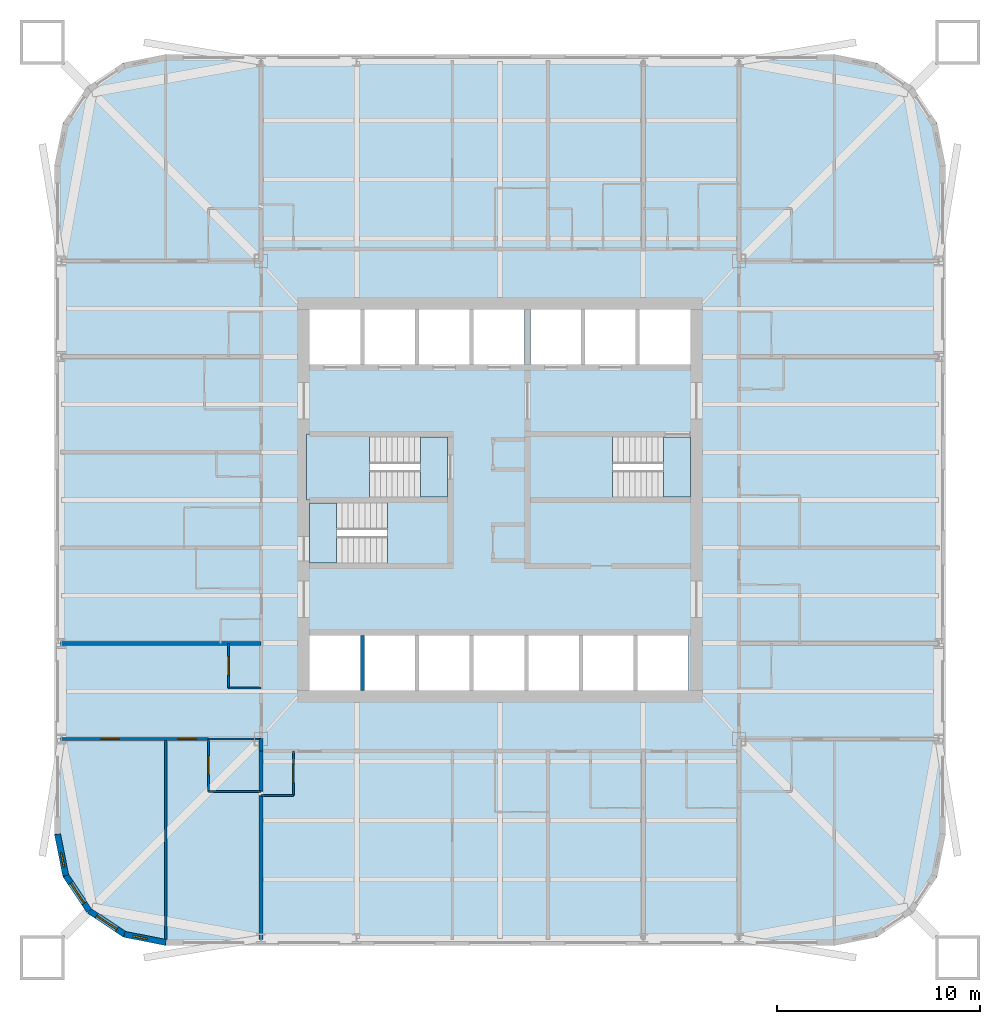
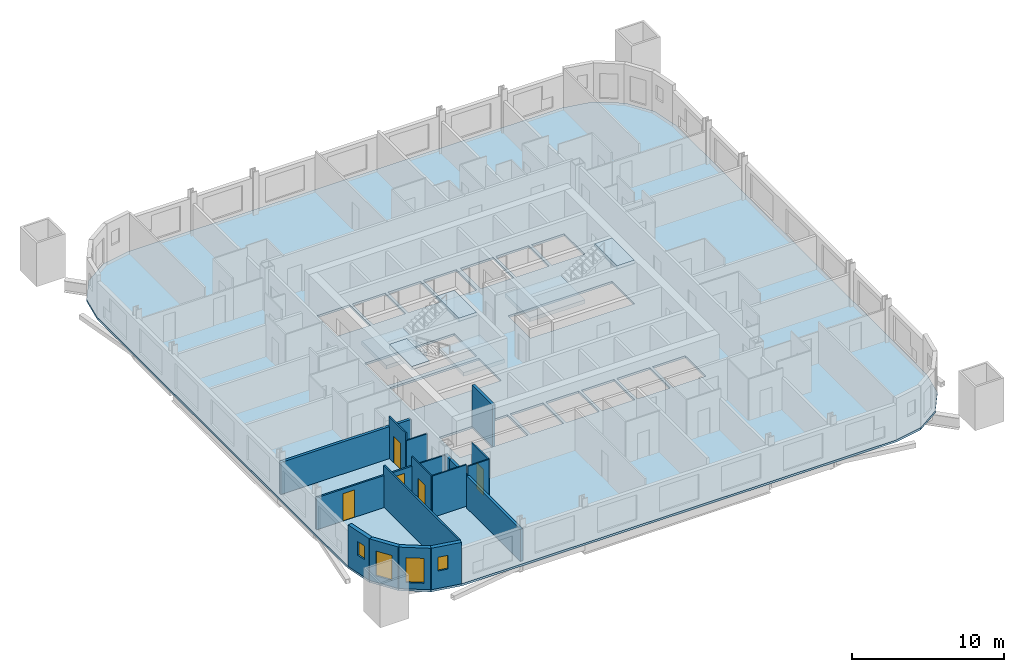
# One storey, part 2 of 10: 18 walls, 7 slabs, 5 doors, 4 windows, 9 openings, 3 elements without a shape of their own.
"""IFC4 building model written with IfcOpenShell, lengths in metres."""

from ifc_helpers import new_model, si_unit, direction, frame, frame_2d, origin, place, context, subcontext, project, spatial, polyline, rectangle, outline, extrude, material, layer, layer_set, type_object, element, fill, aggregate, save


model = new_model("IFC4")

# Units and contexts
model_context = context("Model", 3, precision=1e-05, world=origin(), true_north=direction((0.0, 1.0)))
body_context = subcontext(model_context, "Body", "Model", "MODEL_VIEW")
ifc_project = project(units=[si_unit("LENGTHUNIT", "METRE"), si_unit("AREAUNIT", "SQUARE_METRE"), si_unit("VOLUMEUNIT", "CUBIC_METRE"), si_unit("PLANEANGLEUNIT", "RADIAN"), si_unit("MASSUNIT", "GRAM", prefix="KILO")], contexts=[model_context])

# Site, building, storey
site_placement = place(None, origin())
site = spatial("IfcSite", under=ifc_project, at=site_placement, CompositionType="ELEMENT")
building_placement = place(site_placement, origin())
building = spatial("IfcBuilding", under=site, at=building_placement, Name="Turquesa Mirador Hotel Tower", CompositionType="ELEMENT")
storey_placement = place(building_placement, frame((0.0, 0.0, 32.0)))
storey = spatial("IfcBuildingStorey", under=building, at=storey_placement, Name="L07", CompositionType="ELEMENT", Elevation=32.0)

# Slab
ifc_material_1 = material(Name="Concrete C28/35", Category="concrete")
ifc_layer_1 = layer(ifc_material_1, 0.169921875)
ifc_layer_set_1 = layer_set([ifc_layer_1], Name="COMPOSITE FLOOR SLAB 170")
slab_type_1 = type_object("IfcSlabType", Name="COMPOSITE FLOOR SLAB 170", PredefinedType="FLOOR", material=ifc_layer_set_1)
slab_1_placement = place(storey_placement, frame((0.0, 0.0, -0.169921875)))
element("IfcSlab", 1, at=slab_1_placement, inside=storey, type_object=slab_type_1, Name="Floor slab L07", PredefinedType="FLOOR", context=body_context, shape_type="SweptSolid", body=[
    extrude(outline(polyline([(71.5, 23.0), (73.604736328125, 23.418701171875), (75.38916015625, 24.61083984375), (76.581298828125, 26.395263671875), (77.0, 28.5), (77.0, 61.5), (76.581298828125, 63.604736328125), (75.38916015625, 65.38916015625), (73.604736328125, 66.581298828125), (71.5, 67.0), (38.5, 67.0), (36.395263671875, 66.581298828125), (34.61083984375, 65.38916015625), (33.418701171875, 63.604736328125), (33.0, 61.5), (33.0, 28.5), (33.418701171875, 26.395263671875), (34.61083984375, 24.61083984375), (36.395263671875, 23.418701171875), (38.5, 23.0), (71.5, 23.0)]), holes=[polyline([(45.60009765625, 51.699951171875), (48.10009765625, 51.699951171875), (48.10009765625, 54.39990234375), (45.60009765625, 54.39990234375), (45.60009765625, 51.699951171875)]), polyline([(48.300048828125, 51.699951171875), (50.800048828125, 51.699951171875), (50.800048828125, 54.39990234375), (48.300048828125, 54.39990234375), (48.300048828125, 51.699951171875)]), polyline([(51.0, 51.699951171875), (53.5, 51.699951171875), (53.5, 54.39990234375), (51.0, 54.39990234375), (51.0, 51.699951171875)]), polyline([(53.699951171875, 51.699951171875), (56.199951171875, 51.699951171875), (56.199951171875, 54.39990234375), (53.699951171875, 54.39990234375), (53.699951171875, 51.699951171875)]), polyline([(56.5, 51.699951171875), (59.0, 51.699951171875), (59.0, 54.39990234375), (56.5, 54.39990234375), (56.5, 51.699951171875)]), polyline([(59.199951171875, 51.699951171875), (61.699951171875, 51.699951171875), (61.699951171875, 54.39990234375), (59.199951171875, 54.39990234375), (59.199951171875, 51.699951171875)]), polyline([(45.60009765625, 35.60009765625), (48.10009765625, 35.60009765625), (48.10009765625, 38.300048828125), (45.60009765625, 38.300048828125), (45.60009765625, 35.60009765625)]), polyline([(48.300048828125, 35.60009765625), (50.800048828125, 35.60009765625), (50.800048828125, 38.300048828125), (48.300048828125, 38.300048828125), (48.300048828125, 35.60009765625)]), polyline([(51.0, 35.60009765625), (53.5, 35.60009765625), (53.5, 38.300048828125), (51.0, 38.300048828125), (51.0, 35.60009765625)]), polyline([(53.699951171875, 35.60009765625), (56.199951171875, 35.60009765625), (56.199951171875, 38.300048828125), (53.699951171875, 38.300048828125), (53.699951171875, 35.60009765625)]), polyline([(56.39990234375, 35.60009765625), (58.89990234375, 35.60009765625), (58.89990234375, 38.300048828125), (56.39990234375, 38.300048828125), (56.39990234375, 35.60009765625)]), polyline([(59.10009765625, 35.60009765625), (61.60009765625, 35.60009765625), (61.60009765625, 38.300048828125), (59.10009765625, 38.300048828125), (59.10009765625, 35.60009765625)]), polyline([(61.800048828125, 35.60009765625), (64.300048828125, 35.60009765625), (64.300048828125, 38.300048828125), (61.800048828125, 38.300048828125), (61.800048828125, 35.60009765625)]), polyline([(45.60009765625, 45.14990234375), (52.39990234375, 45.14990234375), (52.39990234375, 48.10009765625), (45.60009765625, 48.10009765625), (45.60009765625, 45.14990234375)]), polyline([(45.60009765625, 41.89990234375), (52.39990234375, 41.89990234375), (52.39990234375, 44.85009765625), (45.60009765625, 44.85009765625), (45.60009765625, 41.89990234375)]), polyline([(56.5, 45.14990234375), (64.39990234375, 45.14990234375), (64.39990234375, 48.10009765625), (56.5, 48.10009765625), (56.5, 45.14990234375)]), polyline([(61.89990234375, 51.699951171875), (64.39990234375, 51.699951171875), (64.39990234375, 54.39990234375), (61.89990234375, 54.39990234375), (61.89990234375, 51.699951171875)])]), origin(), (0.0, 0.0, 1.0), 0.169921875),
])

# Stair, slabs
ifc_material_2 = material(Name="Concrete C35/45", Category="concrete")
stair_type = type_object("IfcStairType", Name="ESCAPE STAIR CORE", PredefinedType="HALF_TURN_STAIR", material=ifc_material_2)
stair_1_placement = place(storey_placement, origin())
stair_1 = element("IfcStair", 2, at=stair_1_placement, inside=storey, type_object=stair_type, Name="Stair ST1 L07 to L08", PredefinedType="HALF_TURN_STAIR")
ifc_material_3 = material(Name="Concrete C35/45", Category="concrete")
ifc_layer_2 = layer(ifc_material_3, 0.300048828125)
ifc_layer_set_2 = layer_set([ifc_layer_2], Name="STAIR LANDING 300")
slab_type_2 = type_object("IfcSlabType", Name="STAIR LANDING 300", PredefinedType="LANDING", material=ifc_layer_set_2)
slab_2_placement = place(storey_placement, frame((0.0, 0.0, 1.449951171875)))
slab_2 = element("IfcSlab", 3, at=slab_2_placement, type_object=slab_type_2, Name="ST1 landing 1", PredefinedType="LANDING", context=body_context, shape_type="SweptSolid", body=[
    extrude(outline(polyline([(45.449951171875, 45.0), (48.550048828125, 45.0), (48.550048828125, 48.25), (45.449951171875, 48.25), (45.449951171875, 45.0)])), origin(), (0.0, 0.0, 1.0), 0.300048828125),
])
slab_3_placement = place(storey_placement, frame((0.0, 0.0, 3.199951171875)))
slab_3 = element("IfcSlab", 4, at=slab_3_placement, type_object=slab_type_2, Name="ST1 landing 2", PredefinedType="LANDING", context=body_context, shape_type="SweptSolid", body=[
    extrude(outline(polyline([(51.070068359375, 45.14990234375), (52.39990234375, 45.14990234375), (52.39990234375, 48.10009765625), (51.070068359375, 48.10009765625), (51.070068359375, 45.14990234375)])), origin(), (0.0, 0.0, 1.0), 0.300048828125),
])
aggregate(stair_1, [slab_2, slab_3])

stair_2_placement = place(storey_placement, origin())
stair_2 = element("IfcStair", 5, at=stair_2_placement, inside=storey, type_object=stair_type, Name="Stair ST2 L07 to L08", PredefinedType="HALF_TURN_STAIR")
slab_4_placement = place(storey_placement, frame((0.0, 0.0, 1.449951171875)))
slab_4 = element("IfcSlab", 6, at=slab_4_placement, type_object=slab_type_2, Name="ST2 landing 1", PredefinedType="LANDING", context=body_context, shape_type="SweptSolid", body=[
    extrude(outline(polyline([(52.550048828125, 45.0), (49.449951171875, 45.0), (49.449951171875, 41.75), (52.550048828125, 41.75), (52.550048828125, 45.0)])), origin(), (0.0, 0.0, 1.0), 0.300048828125),
])
slab_5_placement = place(storey_placement, frame((0.0, 0.0, 3.199951171875)))
slab_5 = element("IfcSlab", 7, at=slab_5_placement, type_object=slab_type_2, Name="ST2 landing 2", PredefinedType="LANDING", context=body_context, shape_type="SweptSolid", body=[
    extrude(outline(polyline([(46.929931640625, 44.85009765625), (45.60009765625, 44.85009765625), (45.60009765625, 41.89990234375), (46.929931640625, 41.89990234375), (46.929931640625, 44.85009765625)])), origin(), (0.0, 0.0, 1.0), 0.300048828125),
])
aggregate(stair_2, [slab_4, slab_5])

stair_3_placement = place(storey_placement, origin())
stair_3 = element("IfcStair", 8, at=stair_3_placement, inside=storey, type_object=stair_type, Name="Stair ST3 L07 to L08", PredefinedType="HALF_TURN_STAIR")
slab_6_placement = place(storey_placement, frame((0.0, 0.0, 1.449951171875)))
slab_6 = element("IfcSlab", 9, at=slab_6_placement, type_object=slab_type_2, Name="ST3 landing 1", PredefinedType="LANDING", context=body_context, shape_type="SweptSolid", body=[
    extrude(outline(polyline([(56.35009765625, 45.0), (60.550048828125, 45.0), (60.550048828125, 48.25), (56.35009765625, 48.25), (56.35009765625, 45.0)])), origin(), (0.0, 0.0, 1.0), 0.300048828125),
])
slab_7_placement = place(storey_placement, frame((0.0, 0.0, 3.199951171875)))
slab_7 = element("IfcSlab", 10, at=slab_7_placement, type_object=slab_type_2, Name="ST3 landing 2", PredefinedType="LANDING", context=body_context, shape_type="SweptSolid", body=[
    extrude(outline(polyline([(63.070068359375, 45.14990234375), (64.39990234375, 45.14990234375), (64.39990234375, 48.10009765625), (63.070068359375, 48.10009765625), (63.070068359375, 45.14990234375)])), origin(), (0.0, 0.0, 1.0), 0.300048828125),
])
aggregate(stair_3, [slab_6, slab_7])

# Walls
ifc_material_4 = material(Name="Gypsum board on steel studs", Category="steel")
ifc_layer_3 = layer(ifc_material_4, 0.10009765625)
ifc_layer_set_3 = layer_set([ifc_layer_3], Name="BATHROOM WALL 100")
wall_type_1 = type_object("IfcWallType", Name="BATHROOM WALL 100", PredefinedType="PARTITIONING", material=ifc_layer_set_3)
wall_1_placement = place(storey_placement, frame((40.60009765625, 33.199951171875, 0.0), z_axis=(0.0, 0.0, 1.0), x_axis=(1.0, 0.0, 0.0)))
element("IfcWall", 11, at=wall_1_placement, inside=storey, type_object=wall_type_1, Name="Partition L07 002", PredefinedType="PARTITIONING", context=body_context, shape_type="SweptSolid", body=[
    extrude(rectangle(XDim=2.599853515625, YDim=0.10009765625, at=frame_2d((1.2998046875, 0.0))), origin(), (0.0, 0.0, 1.0), 2.572998046875),
])
wall_2_placement = place(storey_placement, frame((40.60009765625, 30.60009765625, 0.0), z_axis=(0.0, 0.0, 1.0), x_axis=(1.0, 0.0, 0.0)))
element("IfcWall", 12, at=wall_2_placement, inside=storey, type_object=wall_type_1, Name="Partition L07 007", PredefinedType="PARTITIONING", context=body_context, shape_type="SweptSolid", body=[
    extrude(rectangle(XDim=2.599853515625, YDim=0.10009765625, at=frame_2d((1.2998046875, 0.0))), origin(), (0.0, 0.0, 1.0), 3.330078125),
])
wall_3_placement = place(storey_placement, frame((43.199951171875, 30.39990234375, 0.0), z_axis=(0.0, 0.0, 1.0), x_axis=(1.0, 0.0, 0.0)))
element("IfcWall", 13, at=wall_3_placement, inside=storey, type_object=wall_type_1, Name="Partition L07 009", PredefinedType="PARTITIONING", context=body_context, shape_type="SweptSolid", body=[
    extrude(rectangle(XDim=1.60009765625, YDim=0.10009765625, at=frame_2d((0.800048828125, 0.0))), origin(), (0.0, 0.0, 1.0), 3.330078125),
])
wall_4_placement = place(storey_placement, frame((41.60009765625, 35.719970703125, 0.0), z_axis=(0.0, 0.0, 1.0), x_axis=(1.0, 0.0, 0.0)))
element("IfcWall", 14, at=wall_4_placement, inside=storey, type_object=wall_type_1, Name="Partition L07 020", PredefinedType="PARTITIONING", context=body_context, shape_type="SweptSolid", body=[
    extrude(rectangle(XDim=1.599853515625, YDim=0.10009765625, at=frame_2d((0.7998046875, 0.0))), origin(), (0.0, 0.0, 1.0), 2.722900390625),
])

# Wall, opening, door
wall_5_placement = place(storey_placement, frame((44.800048828125, 30.39990234375, 0.0), z_axis=(0.0, 0.0, 1.0), x_axis=(0.0, 1.0, 0.0)))
wall_5 = element("IfcWall", 15, at=wall_5_placement, inside=storey, type_object=wall_type_1, Name="Partition L07 046", PredefinedType="PARTITIONING", context=body_context, shape_type="SweptSolid", body=[
    extrude(rectangle(XDim=2.2001953125, YDim=0.10009765625, at=frame_2d((1.10009765625, 0.0))), origin(), (0.0, 0.0, 1.0), 3.330078125),
])
opening_1_placement = place(wall_5_placement, frame((0.64990234375, 0.0, 0.0)))
opening_1 = element("IfcOpeningElement", 16, at=opening_1_placement, cuts=wall_5, Name="Opening D06", PredefinedType="OPENING", context=body_context, shape_type="SweptSolid", body=[
    extrude(rectangle(XDim=0.89990234375, YDim=2.10009765625, at=frame_2d((0.449951171875, 1.050048828125))), frame((0.0, 0.06005859375, 0.0), z_axis=(0.0, -1.0, 0.0), x_axis=(1.0, 0.0, 0.0)), (0.0, 0.0, 1.0), 0.1201171875),
])
ifc_material_5 = material(Name="Laminate door", Category="wood")
door_type_1 = type_object("IfcDoorType", Name="DOOR 900X2100 WC", OperationType="SINGLE_SWING_LEFT", PredefinedType="DOOR", material=ifc_material_5)
door_1_placement = place(opening_1_placement, origin())
door_1 = element("IfcDoor", 17, at=door_1_placement, inside=storey, type_object=door_type_1, Name="Door 0704W", OperationType="SINGLE_SWING_LEFT", OverallHeight=2.10009765625, OverallWidth=0.89990234375, PredefinedType="DOOR", context=body_context, shape_type="SweptSolid", body=[
    extrude(rectangle(XDim=0.89990234375, YDim=2.10009765625, at=frame_2d((0.449951171875, 1.050048828125))), frame((0.0, 0.02490234375, 0.0), z_axis=(0.0, -1.0, 0.0), x_axis=(1.0, 0.0, 0.0)), (0.0, 0.0, 1.0), 0.050048828125),
])
fill(opening_1, door_1)

wall_6_placement = place(storey_placement, frame((41.60009765625, 35.719970703125, 0.0), z_axis=(0.0, 0.0, 1.0), x_axis=(0.0, 1.0, 0.0)))
wall_6 = element("IfcWall", 18, at=wall_6_placement, inside=storey, type_object=wall_type_1, Name="Partition L07 053", PredefinedType="PARTITIONING", context=body_context, shape_type="SweptSolid", body=[
    extrude(rectangle(XDim=2.199951171875, YDim=0.10009765625, at=frame_2d((1.10009765625, 0.0))), origin(), (0.0, 0.0, 1.0), 3.330078125),
])
opening_2_placement = place(wall_6_placement, frame((0.64990234375, 0.0, 0.0)))
opening_2 = element("IfcOpeningElement", 19, at=opening_2_placement, cuts=wall_6, Name="Opening D06", PredefinedType="OPENING", context=body_context, shape_type="SweptSolid", body=[
    extrude(rectangle(XDim=0.89990234375, YDim=2.10009765625, at=frame_2d((0.449951171875, 1.050048828125))), frame((0.0, 0.06005859375, 0.0), z_axis=(0.0, -1.0, 0.0), x_axis=(1.0, 0.0, 0.0)), (0.0, 0.0, 1.0), 0.1201171875),
])
door_2_placement = place(opening_2_placement, origin())
door_2 = element("IfcDoor", 20, at=door_2_placement, inside=storey, type_object=door_type_1, Name="Door 0714W", OperationType="SINGLE_SWING_LEFT", OverallHeight=2.10009765625, OverallWidth=0.89990234375, PredefinedType="DOOR", context=body_context, shape_type="SweptSolid", body=[
    extrude(rectangle(XDim=0.89990234375, YDim=2.10009765625, at=frame_2d((0.449951171875, 1.050048828125))), frame((0.0, 0.02490234375, 0.0), z_axis=(0.0, -1.0, 0.0), x_axis=(1.0, 0.0, 0.0)), (0.0, 0.0, 1.0), 0.050048828125),
])
fill(opening_2, door_2)

wall_7_placement = place(storey_placement, frame((40.60009765625, 30.60009765625, 0.0), z_axis=(0.0, 0.0, 1.0), x_axis=(0.0, 1.0, 0.0)))
wall_7 = element("IfcWall", 21, at=wall_7_placement, inside=storey, type_object=wall_type_1, Name="Partition L07 057", PredefinedType="PARTITIONING", context=body_context, shape_type="SweptSolid", body=[
    extrude(rectangle(XDim=2.599853515625, YDim=0.10009765625, at=frame_2d((1.2998046875, 0.0))), origin(), (0.0, 0.0, 1.0), 3.330078125),
])
opening_3_placement = place(wall_7_placement, frame((0.85009765625, 0.0, 0.0)))
opening_3 = element("IfcOpeningElement", 22, at=opening_3_placement, cuts=wall_7, Name="Opening D02", PredefinedType="OPENING", context=body_context, shape_type="SweptSolid", body=[
    extrude(rectangle(XDim=0.89990234375, YDim=2.10009765625, at=frame_2d((0.449951171875, 1.050048828125))), frame((0.0, 0.06005859375, 0.0), z_axis=(0.0, -1.0, 0.0), x_axis=(1.0, 0.0, 0.0)), (0.0, 0.0, 1.0), 0.1201171875),
])
ifc_material_6 = material(Name="Timber veneered door", Category="wood")
door_type_2 = type_object("IfcDoorType", Name="DOOR 900X2100 EN-SUITE", OperationType="SINGLE_SWING_RIGHT", PredefinedType="DOOR", material=ifc_material_6)
door_3_placement = place(opening_3_placement, origin())
door_3 = element("IfcDoor", 23, at=door_3_placement, inside=storey, type_object=door_type_2, Name="Door 0714B", OperationType="SINGLE_SWING_RIGHT", OverallHeight=2.10009765625, OverallWidth=0.89990234375, PredefinedType="DOOR", context=body_context, shape_type="SweptSolid", body=[
    extrude(rectangle(XDim=0.89990234375, YDim=2.10009765625, at=frame_2d((0.449951171875, 1.050048828125))), frame((0.0, 0.02490234375, 0.0), z_axis=(0.0, -1.0, 0.0), x_axis=(1.0, 0.0, 0.0)), (0.0, 0.0, 1.0), 0.050048828125),
])
fill(opening_3, door_3)

# Wall
ifc_material_7 = material(Name="Fire-rated gypsum board on steel studs", Category="steel")
ifc_layer_4 = layer(ifc_material_7, 0.199951171875)
ifc_layer_set_4 = layer_set([ifc_layer_4], Name="CORRIDOR WALL 200")
wall_type_2 = type_object("IfcWallType", Name="CORRIDOR WALL 200", PredefinedType="PARTITIONING", material=ifc_layer_set_4)
wall_8_placement = place(storey_placement, frame((43.199951171875, 32.60009765625, 0.0), z_axis=(0.0, 0.0, 1.0), x_axis=(0.0, 1.0, 0.0)))
element("IfcWall", 24, at=wall_8_placement, inside=storey, type_object=wall_type_2, Name="Partition L07 088", PredefinedType="PARTITIONING", context=body_context, shape_type="SweptSolid", body=[
    extrude(rectangle(XDim=0.619873046875, YDim=0.199951171875, at=frame_2d((0.31005859375, 0.0))), origin(), (0.0, 0.0, 1.0), 2.572998046875),
])

# Wall, opening, window
ifc_material_8 = material(Name="Limestone cladding on concrete block", Category="masonry")
ifc_layer_5 = layer(ifc_material_8, 0.300048828125)
ifc_layer_set_5 = layer_set([ifc_layer_5], Name="FACADE WALL 300 STONE SCREEN")
wall_type_3 = type_object("IfcWallType", Name="FACADE WALL 300 STONE SCREEN", PredefinedType="SOLIDWALL", material=ifc_layer_set_5)
wall_9_placement = place(storey_placement, frame((33.14990234375, 28.5, 0.0), z_axis=(0.0, 0.0, 1.0), x_axis=(0.195081421501, -0.980787050784, 0.0)))
wall_9 = element("IfcWall", 25, at=wall_9_placement, inside=storey, type_object=wall_type_3, Name="Facade wall L07 15", PredefinedType="SOLIDWALL", context=body_context, shape_type="SweptSolid", body=[
    extrude(rectangle(XDim=2.08740234375, YDim=0.300048828125, at=frame_2d((1.043701171875, 0.0))), origin(), (0.0, 0.0, 1.0), 3.330078125),
])
opening_4_placement = place(wall_9_placement, frame((0.943603515625, 0.0, 1.39990234375)))
opening_4 = element("IfcOpeningElement", 26, at=opening_4_placement, cuts=wall_9, Name="Opening WN16", PredefinedType="OPENING", context=body_context, shape_type="SweptSolid", body=[
    extrude(rectangle(XDim=0.699951171875, YDim=1.10009765625, at=frame_2d((0.35009765625, 0.550048828125))), frame((0.0, 0.159912109375, 0.0), z_axis=(0.0, -1.0, 0.0), x_axis=(1.0, 0.0, 0.0)), (0.0, 0.0, 1.0), 0.320068359375),
])
ifc_material_9 = material(Name="Ceramic-fritted laminated glass", Category="glass")
window_type_1 = type_object("IfcWindowType", Name="FRITTED CORNER WINDOW 700X1100", PartitioningType="DOUBLE_PANEL_HORIZONTAL", PredefinedType="WINDOW", material=ifc_material_9)
window_1_placement = place(opening_4_placement, origin())
window_1 = element("IfcWindow", 27, at=window_1_placement, inside=storey, type_object=window_type_1, Name="Window L07", OverallHeight=1.10009765625, OverallWidth=0.699951171875, PartitioningType="SINGLE_PANEL", PredefinedType="WINDOW", context=body_context, shape_type="SweptSolid", body=[
    extrude(rectangle(XDim=0.699951171875, YDim=1.10009765625, at=frame_2d((0.35009765625, 0.550048828125))), frame((0.0, 0.030029296875, 0.0), z_axis=(0.0, -1.0, 0.0), x_axis=(1.0, 0.0, 0.0)), (0.0, 0.0, 1.0), 0.06005859375),
])
fill(opening_4, window_1)

wall_10_placement = place(storey_placement, frame((33.55712890625, 26.45263671875, 0.0), z_axis=(0.0, 0.0, 1.0), x_axis=(0.555644460423, -0.831420010345, 0.0)))
wall_10 = element("IfcWall", 28, at=wall_10_placement, inside=storey, type_object=wall_type_3, Name="Facade wall L07 16", PredefinedType="SOLIDWALL", context=body_context, shape_type="SweptSolid", body=[
    extrude(rectangle(XDim=2.08740234375, YDim=0.300048828125, at=frame_2d((1.043701171875, 0.0))), origin(), (0.0, 0.0, 1.0), 3.330078125),
])
opening_5_placement = place(wall_10_placement, frame((0.443603515625, 0.0, 0.5)))
opening_5 = element("IfcOpeningElement", 29, at=opening_5_placement, cuts=wall_10, Name="Opening WN4", PredefinedType="OPENING", context=body_context, shape_type="SweptSolid", body=[
    extrude(rectangle(XDim=1.199951171875, YDim=2.0, at=frame_2d((0.60009765625, 1.0))), frame((0.0, 0.159912109375, 0.0), z_axis=(0.0, -1.0, 0.0), x_axis=(1.0, 0.0, 0.0)), (0.0, 0.0, 1.0), 0.320068359375),
])
ifc_material_10 = material(Name="Ceramic-fritted laminated glass", Category="glass")
window_type_2 = type_object("IfcWindowType", Name="FRITTED CORNER WINDOW 1200X2000", PartitioningType="DOUBLE_PANEL_HORIZONTAL", PredefinedType="WINDOW", material=ifc_material_10)
window_2_placement = place(opening_5_placement, origin())
window_2 = element("IfcWindow", 30, at=window_2_placement, inside=storey, type_object=window_type_2, Name="Window L07", OverallHeight=2.0, OverallWidth=1.199951171875, PartitioningType="SINGLE_PANEL", PredefinedType="WINDOW", context=body_context, shape_type="SweptSolid", body=[
    extrude(rectangle(XDim=1.199951171875, YDim=2.0, at=frame_2d((0.60009765625, 1.0))), frame((0.0, 0.030029296875, 0.0), z_axis=(0.0, -1.0, 0.0), x_axis=(1.0, 0.0, 0.0)), (0.0, 0.0, 1.0), 0.06005859375),
])
fill(opening_5, window_2)

wall_11_placement = place(storey_placement, frame((34.717041015625, 24.717041015625, 0.0), z_axis=(0.0, 0.0, 1.0), x_axis=(0.831420010345, -0.555644460423, 0.0)))
wall_11 = element("IfcWall", 31, at=wall_11_placement, inside=storey, type_object=wall_type_3, Name="Facade wall L07 17", PredefinedType="SOLIDWALL", context=body_context, shape_type="SweptSolid", body=[
    extrude(rectangle(XDim=2.08740234375, YDim=0.300048828125, at=frame_2d((1.043701171875, 0.0))), origin(), (0.0, 0.0, 1.0), 3.330078125),
])
opening_6_placement = place(wall_11_placement, frame((0.443603515625, 0.0, 0.5)))
opening_6 = element("IfcOpeningElement", 32, at=opening_6_placement, cuts=wall_11, Name="Opening WN4", PredefinedType="OPENING", context=body_context, shape_type="SweptSolid", body=[
    extrude(rectangle(XDim=1.199951171875, YDim=2.0, at=frame_2d((0.60009765625, 1.0))), frame((0.0, 0.159912109375, 0.0), z_axis=(0.0, -1.0, 0.0), x_axis=(1.0, 0.0, 0.0)), (0.0, 0.0, 1.0), 0.320068359375),
])
window_3_placement = place(opening_6_placement, origin())
window_3 = element("IfcWindow", 33, at=window_3_placement, inside=storey, type_object=window_type_2, Name="Window L07", OverallHeight=2.0, OverallWidth=1.199951171875, PartitioningType="SINGLE_PANEL", PredefinedType="WINDOW", context=body_context, shape_type="SweptSolid", body=[
    extrude(rectangle(XDim=1.199951171875, YDim=2.0, at=frame_2d((0.60009765625, 1.0))), frame((0.0, 0.030029296875, 0.0), z_axis=(0.0, -1.0, 0.0), x_axis=(1.0, 0.0, 0.0)), (0.0, 0.0, 1.0), 0.06005859375),
])
fill(opening_6, window_3)

wall_12_placement = place(storey_placement, frame((36.45263671875, 23.55712890625, 0.0), z_axis=(0.0, 0.0, 1.0), x_axis=(0.980787050784, -0.195081421501, 0.0)))
wall_12 = element("IfcWall", 34, at=wall_12_placement, inside=storey, type_object=wall_type_3, Name="Facade wall L07 18", PredefinedType="SOLIDWALL", context=body_context, shape_type="SweptSolid", body=[
    extrude(rectangle(XDim=2.08740234375, YDim=0.300048828125, at=frame_2d((1.043701171875, 0.0))), origin(), (0.0, 0.0, 1.0), 3.330078125),
])
opening_7_placement = place(wall_12_placement, frame((0.443603515625, 0.0, 1.39990234375)))
opening_7 = element("IfcOpeningElement", 35, at=opening_7_placement, cuts=wall_12, Name="Opening WN16", PredefinedType="OPENING", context=body_context, shape_type="SweptSolid", body=[
    extrude(rectangle(XDim=0.699951171875, YDim=1.10009765625, at=frame_2d((0.35009765625, 0.550048828125))), frame((0.0, 0.159912109375, 0.0), z_axis=(0.0, -1.0, 0.0), x_axis=(1.0, 0.0, 0.0)), (0.0, 0.0, 1.0), 0.320068359375),
])
window_4_placement = place(opening_7_placement, origin())
window_4 = element("IfcWindow", 36, at=window_4_placement, inside=storey, type_object=window_type_1, Name="Window L07", OverallHeight=1.10009765625, OverallWidth=0.699951171875, PartitioningType="SINGLE_PANEL", PredefinedType="WINDOW", context=body_context, shape_type="SweptSolid", body=[
    extrude(rectangle(XDim=0.699951171875, YDim=1.10009765625, at=frame_2d((0.35009765625, 0.550048828125))), frame((0.0, 0.030029296875, 0.0), z_axis=(0.0, -1.0, 0.0), x_axis=(1.0, 0.0, 0.0)), (0.0, 0.0, 1.0), 0.06005859375),
])
fill(opening_7, window_4)

# Walls
ifc_material_11 = material(Name="Fire-rated gypsum shaft wall on steel studs", Category="steel")
ifc_layer_6 = layer(ifc_material_11, 0.199951171875)
ifc_layer_set_6 = layer_set([ifc_layer_6], Name="LIFT SHAFT DIVIDER 200")
wall_type_4 = type_object("IfcWallType", Name="LIFT SHAFT DIVIDER 200", PredefinedType="PARTITIONING", material=ifc_layer_set_6)
wall_13_placement = place(storey_placement, frame((48.199951171875, 35.60009765625, 0.0), z_axis=(0.0, 0.0, 1.0), x_axis=(0.0, 1.0, 0.0)))
element("IfcWall", 37, at=wall_13_placement, inside=storey, type_object=wall_type_4, Name="Lift shaft divider", PredefinedType="PARTITIONING", context=body_context, shape_type="SweptSolid", body=[
    extrude(rectangle(XDim=2.699951171875, YDim=0.199951171875, at=frame_2d((1.35009765625, 0.0))), origin(), (0.0, 0.0, 1.0), 3.330078125),
])
ifc_material_12 = material(Name="Fire-rated gypsum board on steel studs", Category="steel")
ifc_layer_7 = layer(ifc_material_12, 0.199951171875)
ifc_layer_set_7 = layer_set([ifc_layer_7], Name="PARTY WALL 200")
wall_type_5 = type_object("IfcWallType", Name="PARTY WALL 200", PredefinedType="PARTITIONING", material=ifc_layer_set_7)
wall_14_placement = place(storey_placement, frame((33.300048828125, 37.919921875, 0.0), z_axis=(0.0, 0.0, 1.0), x_axis=(1.0, 0.0, 0.0)))
element("IfcWall", 38, at=wall_14_placement, inside=storey, type_object=wall_type_5, Name="Partition L07 018", PredefinedType="PARTITIONING", context=body_context, shape_type="SweptSolid", body=[
    extrude(rectangle(XDim=9.89990234375, YDim=0.199951171875, at=frame_2d((4.949951171875, 0.0))), origin(), (0.0, 0.0, 1.0), 2.572998046875),
])
wall_15_placement = place(storey_placement, frame((43.199951171875, 23.300048828125, 0.0), z_axis=(0.0, 0.0, 1.0), x_axis=(0.0, 1.0, 0.0)))
element("IfcWall", 39, at=wall_15_placement, inside=storey, type_object=wall_type_5, Name="Partition L07 049", PredefinedType="PARTITIONING", context=body_context, shape_type="SweptSolid", body=[
    extrude(rectangle(XDim=7.099853515625, YDim=0.199951171875, at=frame_2d((3.5498046875, 0.0))), origin(), (0.0, 0.0, 1.0), 2.572998046875),
])
wall_16_placement = place(storey_placement, frame((43.199951171875, 30.60009765625, 0.0), z_axis=(0.0, 0.0, 1.0), x_axis=(0.0, 1.0, 0.0)))
element("IfcWall", 40, at=wall_16_placement, inside=storey, type_object=wall_type_5, Name="Partition L07 050", PredefinedType="PARTITIONING", context=body_context, shape_type="SweptSolid", body=[
    extrude(rectangle(XDim=2.0, YDim=0.199951171875, at=frame_2d((1.0, 0.0))), origin(), (0.0, 0.0, 1.0), 2.572998046875),
])

# Wall, openings, doors
ifc_material_13 = material(Name="Acoustic gypsum board on steel studs", Category="steel")
ifc_layer_8 = layer(ifc_material_13, 0.125)
ifc_layer_set_8 = layer_set([ifc_layer_8], Name="SUITE PARTITION 125")
wall_type_6 = type_object("IfcWallType", Name="SUITE PARTITION 125", PredefinedType="PARTITIONING", material=ifc_layer_set_8)
wall_17_placement = place(storey_placement, frame((33.300048828125, 33.199951171875, 0.0), z_axis=(0.0, 0.0, 1.0), x_axis=(1.0, 0.0, 0.0)))
wall_17 = element("IfcWall", 41, at=wall_17_placement, inside=storey, type_object=wall_type_6, Name="Partition L07 004", PredefinedType="PARTITIONING", context=body_context, shape_type="SweptSolid", body=[
    extrude(rectangle(XDim=7.300048828125, YDim=0.125, at=frame_2d((3.64990234375, 0.0))), origin(), (0.0, 0.0, 1.0), 2.572998046875),
])
opening_8_placement = place(wall_17_placement, frame((5.800048828125, 0.0, 0.0)))
opening_8 = element("IfcOpeningElement", 42, at=opening_8_placement, cuts=wall_17, Name="Opening D17", PredefinedType="OPENING", context=body_context, shape_type="SweptSolid", body=[
    extrude(rectangle(XDim=0.89990234375, YDim=2.199951171875, at=frame_2d((0.449951171875, 1.10009765625))), frame((0.0, 0.072509765625, 0.0), z_axis=(0.0, -1.0, 0.0), x_axis=(1.0, 0.0, 0.0)), (0.0, 0.0, 1.0), 0.14501953125),
])
opening_9_placement = place(wall_17_placement, frame((2.0, 0.0, 0.0)))
opening_9 = element("IfcOpeningElement", 43, at=opening_9_placement, cuts=wall_17, Name="Opening D17", PredefinedType="OPENING", context=body_context, shape_type="SweptSolid", body=[
    extrude(rectangle(XDim=0.89990234375, YDim=2.199951171875, at=frame_2d((0.449951171875, 1.10009765625))), frame((0.0, 0.072509765625, 0.0), z_axis=(0.0, -1.0, 0.0), x_axis=(1.0, 0.0, 0.0)), (0.0, 0.0, 1.0), 0.14501953125),
])
ifc_material_14 = material(Name="Timber veneered door", Category="wood")
door_type_3 = type_object("IfcDoorType", Name="DOOR 900X2200 SUITE INTERNAL", OperationType="SINGLE_SWING_LEFT", PredefinedType="DOOR", material=ifc_material_14)
door_4_placement = place(opening_8_placement, origin())
door_4 = element("IfcDoor", 44, at=door_4_placement, inside=storey, type_object=door_type_3, Name="Door 0714R", OperationType="SINGLE_SWING_LEFT", OverallHeight=2.199951171875, OverallWidth=0.89990234375, PredefinedType="DOOR", context=body_context, shape_type="SweptSolid", body=[
    extrude(rectangle(XDim=0.89990234375, YDim=2.199951171875, at=frame_2d((0.449951171875, 1.10009765625))), frame((0.0, 0.02490234375, 0.0), z_axis=(0.0, -1.0, 0.0), x_axis=(1.0, 0.0, 0.0)), (0.0, 0.0, 1.0), 0.050048828125),
])
fill(opening_8, door_4)
door_5_placement = place(opening_9_placement, origin())
door_5 = element("IfcDoor", 45, at=door_5_placement, inside=storey, type_object=door_type_3, Name="Door 0714S", OperationType="SINGLE_SWING_LEFT", OverallHeight=2.199951171875, OverallWidth=0.89990234375, PredefinedType="DOOR", context=body_context, shape_type="SweptSolid", body=[
    extrude(rectangle(XDim=0.89990234375, YDim=2.199951171875, at=frame_2d((0.449951171875, 1.10009765625))), frame((0.0, 0.02490234375, 0.0), z_axis=(0.0, -1.0, 0.0), x_axis=(1.0, 0.0, 0.0)), (0.0, 0.0, 1.0), 0.050048828125),
])
fill(opening_9, door_5)

# Wall
wall_18_placement = place(storey_placement, frame((38.5, 23.305908203125, 0.0), z_axis=(0.0, 0.0, 1.0), x_axis=(0.0, 1.0, 0.0)))
element("IfcWall", 46, at=wall_18_placement, inside=storey, type_object=wall_type_6, Name="Partition L07 062", PredefinedType="PARTITIONING", context=body_context, shape_type="SweptSolid", body=[
    extrude(rectangle(XDim=9.89404296875, YDim=0.125, at=frame_2d((4.947021484375, 0.0))), origin(), (0.0, 0.0, 1.0), 3.330078125),
])

save(model, "model.ifc")
